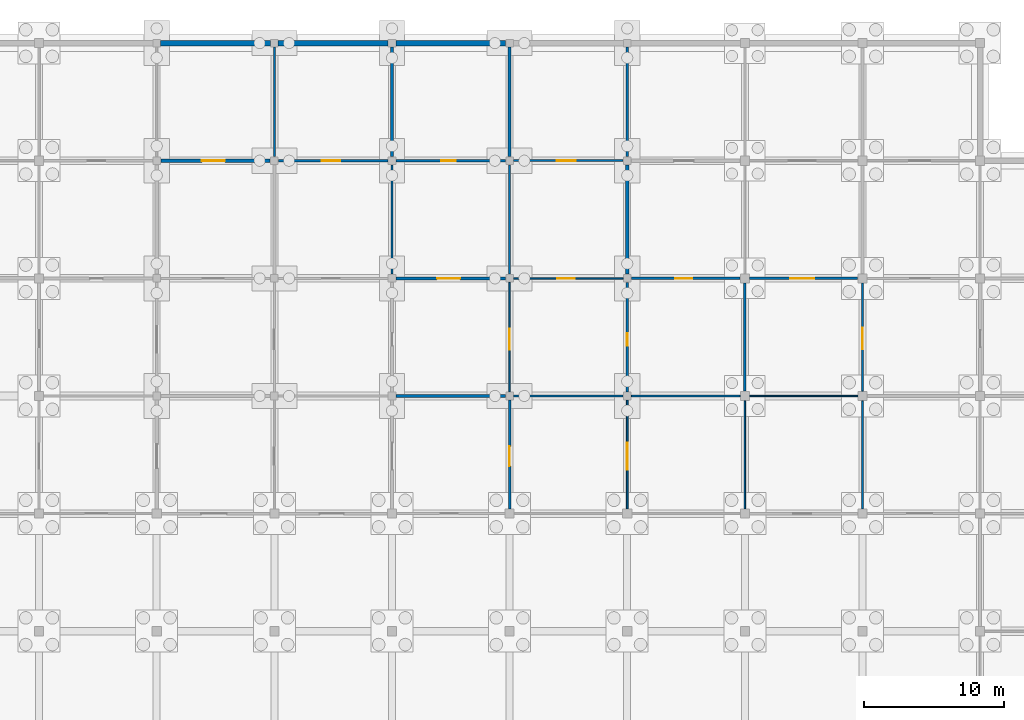
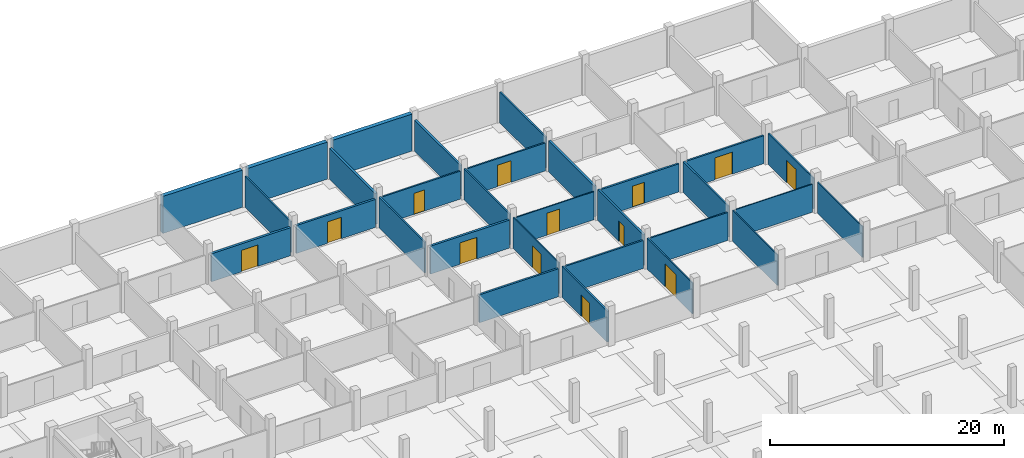
# One storey, part 30 of 43: 30 walls, 13 doors, 13 openings.
"""IFC4 building model written with IfcOpenShell, lengths in metres."""

import ifcopenshell
import ifcopenshell.guid

model = None  # the IFC model being written
_history = None  # IfcOwnerHistory: only IFC2X3 demands one
_inside = {}  # id of a spatial element -> (the spatial element, [elements in it])
_under = {}  # id of a project, library or spatial element -> (it, [spatial elements below it])
_declared = {}  # id of a project -> (the project, [libraries it declares])
_typed = {}  # id of a type object -> (the type object, [elements of that type])
_made_of = {}  # id of a material, layer set ... -> (it, [elements and type objects made of it])


def new_model(schema):
    """Start an empty IFC model of exactly this schema.

    Asked for "IFC4X3", IfcOpenShell would pick the latest addendum, in which some entities
    have other attributes; the version numbers below select the first issue.
    IFC2X3 requires an IfcOwnerHistory on every rooted entity: one is made here for all.
    """
    global model, _history
    if schema == "IFC4X3":
        model = ifcopenshell.file(schema_version=(4, 3, 0, 0))
    else:
        model = ifcopenshell.file(schema=schema)
    _inside.clear()
    _under.clear()
    _declared.clear()
    _typed.clear()
    _made_of.clear()
    _history = None
    if model.schema == "IFC2X3":
        org = make("IfcOrganization", Name="unknown")
        user = make(
            "IfcPersonAndOrganization",
            ThePerson=make("IfcPerson", FamilyName="unknown"),
            TheOrganization=org,
        )
        app = make(
            "IfcApplication",
            ApplicationDeveloper=org,
            Version="unknown",
            ApplicationFullName="unknown",
            ApplicationIdentifier="unknown",
        )
        _history = make(
            "IfcOwnerHistory",
            OwningUser=user,
            OwningApplication=app,
            ChangeAction="ADDED",
            CreationDate=0,
        )
    return model


def make(cls, **values):
    """One entity of the class cls with the attributes given. An attribute that is None is left unset."""
    return model.create_entity(
        cls, **{name: value for name, value in values.items() if value is not None}
    )


def rooted(cls, **values):
    """An entity with a GlobalId (a new one), such as an element, a storey or a relation."""
    return make(cls, GlobalId=ifcopenshell.guid.new(), OwnerHistory=_history, **values)


def si_unit(unit_type, name, prefix=None):
    """IfcSIUnit, for example si_unit("LENGTHUNIT", "METRE", prefix="MILLI")."""
    return make("IfcSIUnit", UnitType=unit_type, Prefix=prefix, Name=name)


def assignment(units):
    """IfcUnitAssignment: the units of a project."""
    return None if units is None else make("IfcUnitAssignment", Units=units)


def point(xyz):
    """IfcCartesianPoint."""
    return None if xyz is None else make("IfcCartesianPoint", Coordinates=xyz)


def direction(xyz):
    """IfcDirection."""
    return None if xyz is None else make("IfcDirection", DirectionRatios=xyz)


def frame(location, z_axis=None, x_axis=None):
    """IfcAxis2Placement3D, a coordinate frame: its origin and axes. An axis left out is left unset."""
    return make(
        "IfcAxis2Placement3D",
        Location=point(location),
        Axis=direction(z_axis),
        RefDirection=direction(x_axis),
    )


def frame_2d(location, x_axis=None):
    """IfcAxis2Placement2D, a coordinate frame in the plane: its origin and x axis."""
    return make(
        "IfcAxis2Placement2D", Location=point(location), RefDirection=direction(x_axis)
    )


def origin():
    """The frame at (0, 0, 0) with its axes left unset."""
    return frame((0.0, 0.0, 0.0))


def place(relative_to, where):
    """IfcLocalPlacement: puts the frame where relative to a parent placement (None: the world)."""
    return make(
        "IfcLocalPlacement", PlacementRelTo=relative_to, RelativePlacement=where
    )


def context(
    kind, dimensions, precision=None, world=None, true_north=None, identifier=None
):
    """IfcGeometricRepresentationContext, for example the 3D "Model" context."""
    return make(
        "IfcGeometricRepresentationContext",
        ContextIdentifier=identifier,
        ContextType=kind,
        CoordinateSpaceDimension=dimensions,
        Precision=precision,
        WorldCoordinateSystem=world,
        TrueNorth=true_north,
    )


def subcontext(parent, identifier, kind, view, scale=None):
    """IfcGeometricRepresentationSubContext, for example "Body" below "Model"."""
    return make(
        "IfcGeometricRepresentationSubContext",
        ContextIdentifier=identifier,
        ContextType=kind,
        ParentContext=parent,
        TargetScale=scale,
        TargetView=view,
    )


def project(units=None, contexts=None):
    """IfcProject with its units and contexts."""
    return rooted(
        "IfcProject",
        Name="project",
        RepresentationContexts=contexts,
        UnitsInContext=assignment(units),
    )


def spatial(cls, under=None, at=None, **own):
    """A site, building, storey or space (cls), placed at a placement, below another one or the project."""
    s = rooted(cls, ObjectPlacement=at, **own)
    if under is not None:
        _under.setdefault(under.id(), (under, []))[1].append(s)
    return s


def profile(cls, at=None, kind="AREA", **sizes):
    """A parametric profile (cls). Its sizes go by their IFC names, for example OverallWidth=200.0."""
    return make(cls, ProfileType=kind, Position=at, **sizes)


def rectangle(**sizes):
    """IfcRectangleProfileDef."""
    return profile("IfcRectangleProfileDef", **sizes)


def extrude(swept, where, along, depth):
    """IfcExtrudedAreaSolid: the profile swept, set in the frame where, extruded along a direction by depth."""
    return make(
        "IfcExtrudedAreaSolid",
        SweptArea=swept,
        Position=where,
        ExtrudedDirection=direction(along),
        Depth=depth,
    )


def shape(context_of_items, identifier, shape_type, items):
    """IfcShapeRepresentation: the items that make up one representation, for example the "Body"."""
    return make(
        "IfcShapeRepresentation",
        ContextOfItems=context_of_items,
        RepresentationIdentifier=identifier,
        RepresentationType=shape_type,
        Items=items,
    )


def material(Name=None, Category=None):
    """IfcMaterial."""
    return make("IfcMaterial", Name=Name, Category=Category)


def layer(
    of_material, thickness, ventilated=None, Name=None, Category=None, Priority=None
):
    """IfcMaterialLayer: one layer of a wall or slab, of a material (None: an air gap)."""
    return make(
        "IfcMaterialLayer",
        Material=of_material,
        LayerThickness=thickness,
        IsVentilated=ventilated,
        Name=Name,
        Category=Category,
        Priority=Priority,
    )


def layer_set(layers, Name=None):
    """IfcMaterialLayerSet."""
    return make("IfcMaterialLayerSet", MaterialLayers=layers, LayerSetName=Name)


def made_of(thing, what):
    """Note that an element or type object is made of a material, layer set ...; save() writes the relation."""
    if what is not None:
        _made_of.setdefault(what.id(), (what, []))[1].append(thing)
    return thing


def type_object(cls, material=None, **own):
    """A type object (cls), such as IfcWallType, which elements share."""
    return made_of(rooted(cls, **own), material)


def element(
    cls,
    number,
    at=None,
    inside=None,
    cuts=None,
    type_object=None,
    material=None,
    context=None,
    identifier="Body",
    shape_type=None,
    held_by="IfcProductDefinitionShape",
    body=None,
    shapes=None,
    **own,
):
    """One element of the class cls, such as IfcWall. Its Tag is "e" and its number.

    at: its placement. inside: the storey or other place that contains it. cuts: it is an
    opening in that element (IfcRelVoidsElement). A single representation is given by context,
    identifier, shape_type and body (its items); several are given by shapes. held_by: the class
    of the entity that holds the representations. save() writes the other relations.
    """
    e = rooted(cls, Tag="e%d" % number, ObjectPlacement=at, **own)
    if body is not None:
        shapes = [shape(context, identifier, shape_type, body)]
    if shapes is not None:
        e.Representation = make(held_by, Representations=shapes)
    if inside is not None:
        _inside.setdefault(inside.id(), (inside, []))[1].append(e)
    if cuts is not None:
        rooted(
            "IfcRelVoidsElement", RelatingBuildingElement=cuts, RelatedOpeningElement=e
        )
    if type_object is not None:
        _typed.setdefault(type_object.id(), (type_object, []))[1].append(e)
    return made_of(e, material)


def fill(opening, filler):
    """IfcRelFillsElement: the door or window that sits in an opening."""
    return rooted(
        "IfcRelFillsElement",
        RelatingOpeningElement=opening,
        RelatedBuildingElement=filler,
    )


def aggregate(whole, parts):
    """IfcRelAggregates: a whole, such as a stair, and the parts it consists of."""
    return rooted("IfcRelAggregates", RelatingObject=whole, RelatedObjects=parts)


def save(model, path):
    """Write the relations noted so far, then the file.

    IfcRelAggregates (storeys below a building ...), IfcRelContainedInSpatialStructure (elements
    in a storey), IfcRelDefinesByType, IfcRelAssociatesMaterial and IfcRelDeclares: one each for
    every whole, place, type object, material and project.
    """
    for whole, parts in _under.values():
        aggregate(whole, parts)
    for where, things in _inside.values():
        rooted(
            "IfcRelContainedInSpatialStructure",
            RelatedElements=things,
            RelatingStructure=where,
        )
    for kind, things in _typed.values():
        rooted("IfcRelDefinesByType", RelatedObjects=things, RelatingType=kind)
    for what, things in _made_of.values():
        rooted("IfcRelAssociatesMaterial", RelatedObjects=things, RelatingMaterial=what)
    for by, libraries in _declared.values():
        rooted("IfcRelDeclares", RelatingContext=by, RelatedDefinitions=libraries)
    model.write(path)


model = new_model("IFC4")

# Units and contexts
model_context = context("Model", 3, precision=1e-05, world=origin(), true_north=direction((0.0, 1.0)))
body_context = subcontext(model_context, "Body", "Model", "MODEL_VIEW")
ifc_project = project(units=[si_unit("LENGTHUNIT", "METRE"), si_unit("AREAUNIT", "SQUARE_METRE"), si_unit("VOLUMEUNIT", "CUBIC_METRE"), si_unit("PLANEANGLEUNIT", "RADIAN"), si_unit("MASSUNIT", "GRAM", prefix="KILO")], contexts=[model_context])

# Site, building, storey
site_placement = place(None, origin())
site = spatial("IfcSite", under=ifc_project, at=site_placement, CompositionType="ELEMENT")
building_placement = place(site_placement, origin())
building = spatial("IfcBuilding", under=site, at=building_placement, Name="Varnapada Polytechnic", CompositionType="ELEMENT")
storey_placement = place(building_placement, frame((0.0, 0.0, -4.199951171875)))
storey = spatial("IfcBuildingStorey", under=building, at=storey_placement, Name="B1", CompositionType="ELEMENT", Elevation=-4.199951171875)

# Walls
ifc_material_1 = material(Name="Autoclaved Aerated Concrete Block AAC-600", Category="concrete")
ifc_layer_1 = layer(ifc_material_1, 0.14990234375)
ifc_layer_set_1 = layer_set([ifc_layer_1], Name="Autoclaved Aerated Concrete Block AAC-600")
wall_type_1 = type_object("IfcWallType", Name="Interior Wall IW-02", PredefinedType="PARTITIONING", material=ifc_layer_set_1)
wall_1_placement = place(storey_placement, frame((84.0, 117.89501953125, 0.0), z_axis=(0.0, 0.0, 1.0), x_axis=(0.0, 1.0, 0.0)))
element("IfcWall", 1, at=wall_1_placement, inside=storey, type_object=wall_type_1, Name="B1 interior partition IW-B1-09-14-V", PredefinedType="PARTITIONING", context=body_context, shape_type="SweptSolid", body=[
    extrude(rectangle(XDim=7.81005859375, YDim=0.14990234375, at=frame_2d((3.905029296875, 0.0))), origin(), (0.0, 0.0, 1.0), 3.22998046875),
])
ifc_material_2 = material(Name="Glazed Timber-Framed Studio Screen", Category="wood")
ifc_layer_2 = layer(ifc_material_2, 0.110107421875)
ifc_layer_set_2 = layer_set([ifc_layer_2], Name="Glazed Timber-Framed Studio Screen")
wall_type_2 = type_object("IfcWallType", Name="Interior Wall IW-07", PredefinedType="PARTITIONING", material=ifc_layer_set_2)
wall_2_placement = place(storey_placement, frame((126.0, 92.7451171875, 0.0), z_axis=(0.0, 0.0, 1.0), x_axis=(0.0, 1.0, 0.0)))
element("IfcWall", 2, at=wall_2_placement, inside=storey, type_object=wall_type_2, Name="B1 interior partition IW-B1-14-11-V", PredefinedType="PARTITIONING", context=body_context, shape_type="SweptSolid", body=[
    extrude(rectangle(XDim=7.7099609375, YDim=0.110107421875, at=frame_2d((3.85498046875, 0.0))), origin(), (0.0, 0.0, 1.0), 3.22998046875),
])
ifc_material_3 = material(Name="Operable Acoustic Seminar Partition")
ifc_layer_3 = layer(ifc_material_3, 0.10009765625)
ifc_layer_set_3 = layer_set([ifc_layer_3], Name="Operable Acoustic Seminar Partition")
wall_type_3 = type_object("IfcWallType", Name="Interior Wall IW-08", PredefinedType="MOVABLE", material=ifc_layer_set_3)
wall_3_placement = place(storey_placement, frame((117.60009765625, 92.7451171875, 0.0), z_axis=(0.0, 0.0, 1.0), x_axis=(0.0, 1.0, 0.0)))
element("IfcWall", 3, at=wall_3_placement, inside=storey, type_object=wall_type_3, Name="B1 interior partition IW-B1-13-11-V", PredefinedType="MOVABLE", context=body_context, shape_type="SweptSolid", body=[
    extrude(rectangle(XDim=7.7099609375, YDim=0.10009765625, at=frame_2d((3.85498046875, 0.0))), origin(), (0.0, 0.0, 1.0), 3.22998046875),
])
wall_4_placement = place(storey_placement, frame((117.945068359375, 100.800048828125, 0.0), z_axis=(0.0, 0.0, 1.0), x_axis=(1.0, 0.0, 0.0)))
element("IfcWall", 4, at=wall_4_placement, inside=storey, type_object=wall_type_3, Name="B1 interior partition IW-B1-14-11-H", PredefinedType="MOVABLE", context=body_context, shape_type="SweptSolid", body=[
    extrude(rectangle(XDim=7.7099609375, YDim=0.10009765625, at=frame_2d((3.85498046875, 0.0))), origin(), (0.0, 0.0, 1.0), 2.929931640625),
])

# Wall, opening, door
ifc_material_4 = material(Name="Calcium Silicate Acoustic Lab Partition")
ifc_layer_4 = layer(ifc_material_4, 0.135009765625)
ifc_layer_set_4 = layer_set([ifc_layer_4], Name="Calcium Silicate Acoustic Lab Partition")
wall_type_4 = type_object("IfcWallType", Name="Interior Wall IW-09", PredefinedType="PARTITIONING", material=ifc_layer_set_4)
wall_5_placement = place(storey_placement, frame((109.199951171875, 92.7451171875, 0.0), z_axis=(0.0, 0.0, 1.0), x_axis=(0.0, 1.0, 0.0)))
wall_5 = element("IfcWall", 5, at=wall_5_placement, inside=storey, type_object=wall_type_4, Name="B1 interior partition IW-B1-12-11-V", PredefinedType="PARTITIONING", context=body_context, shape_type="SweptSolid", body=[
    extrude(rectangle(XDim=7.759765625, YDim=0.135009765625, at=frame_2d((3.8798828125, 0.0))), origin(), (0.0, 0.0, 1.0), 3.22998046875),
])
opening_1_placement = place(wall_5_placement, frame((2.800048828125, 0.0, 0.0)))
opening_1 = element("IfcOpeningElement", 6, at=opening_1_placement, cuts=wall_5, Name="Opening D-726", PredefinedType="OPENING", context=body_context, shape_type="SweptSolid", body=[
    extrude(rectangle(XDim=1.89990234375, YDim=2.39990234375, at=frame_2d((0.949951171875, 1.199951171875))), frame((0.0, 0.077392578125, 0.0), z_axis=(0.0, -1.0, 0.0), x_axis=(1.0, 0.0, 0.0)), (0.0, 0.0, 1.0), 0.155029296875),
])
ifc_material_5 = material(Name="Heavy Workshop Double Steel Door", Category="steel")
door_type_1 = type_object("IfcDoorType", Name="Interior Door ID-14", OperationType="NOTDEFINED", PredefinedType="DOOR", material=ifc_material_5)
door_1_placement = place(opening_1_placement, origin())
door_1 = element("IfcDoor", 7, at=door_1_placement, inside=storey, type_object=door_type_1, Name="B1 interior room door D-726", OperationType="SINGLE_SWING_LEFT", OverallHeight=2.39990234375, OverallWidth=1.89990234375, PredefinedType="DOOR", context=body_context, shape_type="SweptSolid", body=[
    extrude(rectangle(XDim=1.89990234375, YDim=2.39990234375, at=frame_2d((0.949951171875, 1.199951171875))), frame((0.0, 0.02490234375, 0.0), z_axis=(0.0, -1.0, 0.0), x_axis=(1.0, 0.0, 0.0)), (0.0, 0.0, 1.0), 0.050048828125),
])
fill(opening_1, door_1)

# Wall
wall_6_placement = place(storey_placement, frame((109.4951171875, 100.800048828125, 0.0), z_axis=(0.0, 0.0, 1.0), x_axis=(1.0, 0.0, 0.0)))
element("IfcWall", 8, at=wall_6_placement, inside=storey, type_object=wall_type_4, Name="B1 interior partition IW-B1-13-11-H", PredefinedType="PARTITIONING", context=body_context, shape_type="SweptSolid", body=[
    extrude(rectangle(XDim=7.759765625, YDim=0.135009765625, at=frame_2d((3.8798828125, 0.0))), origin(), (0.0, 0.0, 1.0), 2.929931640625),
])

# Wall, opening, door
wall_7_placement = place(storey_placement, frame((126.0, 101.14501953125, 0.0), z_axis=(0.0, 0.0, 1.0), x_axis=(0.0, 1.0, 0.0)))
wall_7 = element("IfcWall", 9, at=wall_7_placement, inside=storey, type_object=wall_type_4, Name="B1 interior partition IW-B1-14-12-V", PredefinedType="PARTITIONING", context=body_context, shape_type="SweptSolid", body=[
    extrude(rectangle(XDim=7.7099609375, YDim=0.135009765625, at=frame_2d((3.85498046875, 0.0))), origin(), (0.0, 0.0, 1.0), 3.22998046875),
])
opening_2_placement = place(wall_7_placement, frame((2.97509765625, 0.0, 0.0)))
opening_2 = element("IfcOpeningElement", 10, at=opening_2_placement, cuts=wall_7, Name="Opening D-741", PredefinedType="OPENING", context=body_context, shape_type="SweptSolid", body=[
    extrude(rectangle(XDim=1.550048828125, YDim=2.35009765625, at=frame_2d((0.77490234375, 1.175048828125))), frame((0.0, 0.077392578125, 0.0), z_axis=(0.0, -1.0, 0.0), x_axis=(1.0, 0.0, 0.0)), (0.0, 0.0, 1.0), 0.155029296875),
])
ifc_material_6 = material(Name="Galvanized Steel Z275", Category="steel")
door_type_2 = type_object("IfcDoorType", Name="Interior Door ID-12", OperationType="NOTDEFINED", PredefinedType="DOOR", material=ifc_material_6)
door_2_placement = place(opening_2_placement, origin())
door_2 = element("IfcDoor", 11, at=door_2_placement, inside=storey, type_object=door_type_2, Name="B1 interior room door D-741", OperationType="SINGLE_SWING_RIGHT", OverallHeight=2.35009765625, OverallWidth=1.550048828125, PredefinedType="DOOR", context=body_context, shape_type="SweptSolid", body=[
    extrude(rectangle(XDim=1.550048828125, YDim=2.35009765625, at=frame_2d((0.77490234375, 1.175048828125))), frame((0.0, 0.02490234375, 0.0), z_axis=(0.0, -1.0, 0.0), x_axis=(1.0, 0.0, 0.0)), (0.0, 0.0, 1.0), 0.050048828125),
])
fill(opening_2, door_2)

ifc_material_7 = material(Name="Double-Layer Fireboard Workshop Wall")
ifc_layer_5 = layer(ifc_material_7, 0.169921875)
ifc_layer_set_5 = layer_set([ifc_layer_5], Name="Double-Layer Fireboard Workshop Wall")
wall_type_5 = type_object("IfcWallType", Name="Interior Wall IW-10", PredefinedType="PARTITIONING", material=ifc_layer_set_5)
wall_8_placement = place(storey_placement, frame((100.800048828125, 92.7451171875, 0.0), z_axis=(0.0, 0.0, 1.0), x_axis=(0.0, 1.0, 0.0)))
wall_8 = element("IfcWall", 12, at=wall_8_placement, inside=storey, type_object=wall_type_5, Name="B1 interior partition IW-B1-11-11-V", PredefinedType="PARTITIONING", context=body_context, shape_type="SweptSolid", body=[
    extrude(rectangle(XDim=7.759765625, YDim=0.169921875, at=frame_2d((3.8798828125, 0.0))), origin(), (0.0, 0.0, 1.0), 3.22998046875),
])
opening_3_placement = place(wall_8_placement, frame((3.050048828125, 0.0, 0.0)))
opening_3 = element("IfcOpeningElement", 13, at=opening_3_placement, cuts=wall_8, Name="Opening D-718", PredefinedType="OPENING", context=body_context, shape_type="SweptSolid", body=[
    extrude(rectangle(XDim=1.39990234375, YDim=2.25, at=frame_2d((0.699951171875, 1.125))), frame((0.0, 0.094970703125, 0.0), z_axis=(0.0, -1.0, 0.0), x_axis=(1.0, 0.0, 0.0)), (0.0, 0.0, 1.0), 0.18994140625),
])
ifc_material_8 = material(Name="Powder-Coated Aluminium 6063-T6", Category="aluminium")
door_type_3 = type_object("IfcDoorType", Name="Interior Door ID-06", OperationType="NOTDEFINED", PredefinedType="DOOR", material=ifc_material_8)
door_3_placement = place(opening_3_placement, origin())
door_3 = element("IfcDoor", 14, at=door_3_placement, inside=storey, type_object=door_type_3, Name="B1 interior room door D-718", OperationType="SINGLE_SWING_LEFT", OverallHeight=2.25, OverallWidth=1.39990234375, PredefinedType="DOOR", context=body_context, shape_type="SweptSolid", body=[
    extrude(rectangle(XDim=1.39990234375, YDim=2.25, at=frame_2d((0.699951171875, 1.125))), frame((0.0, 0.02490234375, 0.0), z_axis=(0.0, -1.0, 0.0), x_axis=(1.0, 0.0, 0.0)), (0.0, 0.0, 1.0), 0.050048828125),
])
fill(opening_3, door_3)

# Walls
wall_9_placement = place(storey_placement, frame((101.094970703125, 100.800048828125, 0.0), z_axis=(0.0, 0.0, 1.0), x_axis=(1.0, 0.0, 0.0)))
element("IfcWall", 15, at=wall_9_placement, inside=storey, type_object=wall_type_5, Name="B1 interior partition IW-B1-12-11-H", PredefinedType="PARTITIONING", context=body_context, shape_type="SweptSolid", body=[
    extrude(rectangle(XDim=7.81005859375, YDim=0.169921875, at=frame_2d((3.905029296875, 0.0))), origin(), (0.0, 0.0, 1.0), 2.929931640625),
])
wall_10_placement = place(storey_placement, frame((117.60009765625, 101.14501953125, 0.0), z_axis=(0.0, 0.0, 1.0), x_axis=(0.0, 1.0, 0.0)))
element("IfcWall", 16, at=wall_10_placement, inside=storey, type_object=wall_type_5, Name="B1 interior partition IW-B1-13-12-V", PredefinedType="PARTITIONING", context=body_context, shape_type="SweptSolid", body=[
    extrude(rectangle(XDim=7.7099609375, YDim=0.169921875, at=frame_2d((3.85498046875, 0.0))), origin(), (0.0, 0.0, 1.0), 3.22998046875),
])

# Wall, opening, door
wall_11_placement = place(storey_placement, frame((117.945068359375, 109.199951171875, 0.0), z_axis=(0.0, 0.0, 1.0), x_axis=(1.0, 0.0, 0.0)))
wall_11 = element("IfcWall", 17, at=wall_11_placement, inside=storey, type_object=wall_type_5, Name="B1 interior partition IW-B1-14-12-H", PredefinedType="PARTITIONING", context=body_context, shape_type="SweptSolid", body=[
    extrude(rectangle(XDim=7.7099609375, YDim=0.169921875, at=frame_2d((3.85498046875, 0.0))), origin(), (0.0, 0.0, 1.0), 2.929931640625),
])
opening_4_placement = place(wall_11_placement, frame((2.89990234375, 0.0, 0.0)))
opening_4 = element("IfcOpeningElement", 18, at=opening_4_placement, cuts=wall_11, Name="Opening D-742", PredefinedType="OPENING", context=body_context, shape_type="SweptSolid", body=[
    extrude(rectangle(XDim=1.699951171875, YDim=2.300048828125, at=frame_2d((0.85009765625, 1.14990234375))), frame((0.0, 0.094970703125, 0.0), z_axis=(0.0, -1.0, 0.0), x_axis=(1.0, 0.0, 0.0)), (0.0, 0.0, 1.0), 0.18994140625),
])
ifc_material_9 = material(Name="Acoustic Double Timber Leaf", Category="wood")
door_type_4 = type_object("IfcDoorType", Name="Interior Door ID-13", OperationType="NOTDEFINED", PredefinedType="DOOR", material=ifc_material_9)
door_4_placement = place(opening_4_placement, origin())
door_4 = element("IfcDoor", 19, at=door_4_placement, inside=storey, type_object=door_type_4, Name="B1 interior room door D-742", OperationType="SINGLE_SWING_LEFT", OverallHeight=2.300048828125, OverallWidth=1.699951171875, PredefinedType="DOOR", context=body_context, shape_type="SweptSolid", body=[
    extrude(rectangle(XDim=1.699951171875, YDim=2.300048828125, at=frame_2d((0.85009765625, 1.14990234375))), frame((0.0, 0.02490234375, 0.0), z_axis=(0.0, -1.0, 0.0), x_axis=(1.0, 0.0, 0.0)), (0.0, 0.0, 1.0), 0.050048828125),
])
fill(opening_4, door_4)

# Wall
ifc_material_10 = material(Name="Insulated Masonry Plant Room Wall", Category="masonry")
ifc_layer_6 = layer(ifc_material_10, 0.18994140625)
ifc_layer_set_6 = layer_set([ifc_layer_6], Name="Insulated Masonry Plant Room Wall")
wall_type_6 = type_object("IfcWallType", Name="Interior Wall IW-11", PredefinedType="PARTITIONING", material=ifc_layer_set_6)
wall_12_placement = place(storey_placement, frame((92.695068359375, 100.800048828125, 0.0), z_axis=(0.0, 0.0, 1.0), x_axis=(1.0, 0.0, 0.0)))
element("IfcWall", 20, at=wall_12_placement, inside=storey, type_object=wall_type_6, Name="B1 interior partition IW-B1-11-11-H", PredefinedType="PARTITIONING", context=body_context, shape_type="SweptSolid", body=[
    extrude(rectangle(XDim=7.809814453125, YDim=0.18994140625, at=frame_2d((3.90478515625, 0.0))), origin(), (0.0, 0.0, 1.0), 2.929931640625),
])

# Wall, opening, door
wall_13_placement = place(storey_placement, frame((109.199951171875, 101.094970703125, 0.0), z_axis=(0.0, 0.0, 1.0), x_axis=(0.0, 1.0, 0.0)))
wall_13 = element("IfcWall", 21, at=wall_13_placement, inside=storey, type_object=wall_type_6, Name="B1 interior partition IW-B1-12-12-V", PredefinedType="PARTITIONING", context=body_context, shape_type="SweptSolid", body=[
    extrude(rectangle(XDim=7.81005859375, YDim=0.18994140625, at=frame_2d((3.905029296875, 0.0))), origin(), (0.0, 0.0, 1.0), 3.22998046875),
])
opening_5_placement = place(wall_13_placement, frame((3.300048828125, 0.0, 0.0)))
opening_5 = element("IfcOpeningElement", 22, at=opening_5_placement, cuts=wall_13, Name="Opening D-727", PredefinedType="OPENING", context=body_context, shape_type="SweptSolid", body=[
    extrude(rectangle(XDim=0.89990234375, YDim=2.10009765625, at=frame_2d((0.449951171875, 1.050048828125))), frame((0.0, 0.10498046875, 0.0), z_axis=(0.0, -1.0, 0.0), x_axis=(1.0, 0.0, 0.0)), (0.0, 0.0, 1.0), 0.2099609375),
])
ifc_material_11 = material(Name="Moisture-Resistant HPL Timber", Category="wood")
door_type_5 = type_object("IfcDoorType", Name="Interior Door ID-15", OperationType="NOTDEFINED", PredefinedType="DOOR", material=ifc_material_11)
door_5_placement = place(opening_5_placement, origin())
door_5 = element("IfcDoor", 23, at=door_5_placement, inside=storey, type_object=door_type_5, Name="B1 interior room door D-727", OperationType="SINGLE_SWING_RIGHT", OverallHeight=2.10009765625, OverallWidth=0.89990234375, PredefinedType="DOOR", context=body_context, shape_type="SweptSolid", body=[
    extrude(rectangle(XDim=0.89990234375, YDim=2.10009765625, at=frame_2d((0.449951171875, 1.050048828125))), frame((0.0, 0.02490234375, 0.0), z_axis=(0.0, -1.0, 0.0), x_axis=(1.0, 0.0, 0.0)), (0.0, 0.0, 1.0), 0.050048828125),
])
fill(opening_5, door_5)

wall_14_placement = place(storey_placement, frame((109.4951171875, 109.199951171875, 0.0), z_axis=(0.0, 0.0, 1.0), x_axis=(1.0, 0.0, 0.0)))
wall_14 = element("IfcWall", 24, at=wall_14_placement, inside=storey, type_object=wall_type_6, Name="B1 interior partition IW-B1-13-12-H", PredefinedType="PARTITIONING", context=body_context, shape_type="SweptSolid", body=[
    extrude(rectangle(XDim=7.759765625, YDim=0.18994140625, at=frame_2d((3.8798828125, 0.0))), origin(), (0.0, 0.0, 1.0), 2.929931640625),
])
opening_6_placement = place(wall_14_placement, frame((3.14990234375, 0.0, 0.0)))
opening_6 = element("IfcOpeningElement", 25, at=opening_6_placement, cuts=wall_14, Name="Opening D-734", PredefinedType="OPENING", context=body_context, shape_type="SweptSolid", body=[
    extrude(rectangle(XDim=1.199951171875, YDim=2.199951171875, at=frame_2d((0.60009765625, 1.10009765625))), frame((0.0, 0.10498046875, 0.0), z_axis=(0.0, -1.0, 0.0), x_axis=(1.0, 0.0, 0.0)), (0.0, 0.0, 1.0), 0.2099609375),
])
ifc_material_12 = material(Name="Solid Teak Hardwood Timber", Category="wood")
door_type_6 = type_object("IfcDoorType", Name="Interior Door ID-05", OperationType="NOTDEFINED", PredefinedType="DOOR", material=ifc_material_12)
door_6_placement = place(opening_6_placement, frame((1.199951171875, 0.0, 0.0), z_axis=(0.0, 0.0, 1.0), x_axis=(-1.0, 0.0, 0.0)))
door_6 = element("IfcDoor", 26, at=door_6_placement, inside=storey, type_object=door_type_6, Name="B1 interior room door D-734", OperationType="SINGLE_SWING_LEFT", OverallHeight=2.199951171875, OverallWidth=1.199951171875, PredefinedType="DOOR", context=body_context, shape_type="SweptSolid", body=[
    extrude(rectangle(XDim=1.199951171875, YDim=2.199951171875, at=frame_2d((0.60009765625, 1.10009765625))), frame((0.0, 0.02490234375, 0.0), z_axis=(0.0, -1.0, 0.0), x_axis=(1.0, 0.0, 0.0)), (0.0, 0.0, 1.0), 0.050048828125),
])
fill(opening_6, door_6)

ifc_material_13 = material(Name="Timber-Stud Studio Critique Partition", Category="wood")
ifc_layer_7 = layer(ifc_material_13, 0.114990234375)
ifc_layer_set_7 = layer_set([ifc_layer_7], Name="Timber-Stud Studio Critique Partition")
wall_type_7 = type_object("IfcWallType", Name="Interior Wall IW-12", PredefinedType="PARTITIONING", material=ifc_layer_set_7)
wall_15_placement = place(storey_placement, frame((100.800048828125, 101.094970703125, 0.0), z_axis=(0.0, 0.0, 1.0), x_axis=(0.0, 1.0, 0.0)))
wall_15 = element("IfcWall", 27, at=wall_15_placement, inside=storey, type_object=wall_type_7, Name="B1 interior partition IW-B1-11-12-V", PredefinedType="PARTITIONING", context=body_context, shape_type="SweptSolid", body=[
    extrude(rectangle(XDim=7.81005859375, YDim=0.114990234375, at=frame_2d((3.905029296875, 0.0))), origin(), (0.0, 0.0, 1.0), 3.22998046875),
])
opening_7_placement = place(wall_15_placement, frame((3.0, 0.0, 0.0)))
opening_7 = element("IfcOpeningElement", 28, at=opening_7_placement, cuts=wall_15, Name="Opening D-719", PredefinedType="OPENING", context=body_context, shape_type="SweptSolid", body=[
    extrude(rectangle(XDim=1.5, YDim=2.300048828125, at=frame_2d((0.75, 1.14990234375))), frame((0.0, 0.0673828125, 0.0), z_axis=(0.0, -1.0, 0.0), x_axis=(1.0, 0.0, 0.0)), (0.0, 0.0, 1.0), 0.135009765625),
])
door_type_7 = type_object("IfcDoorType", Name="Interior Door ID-07", OperationType="NOTDEFINED", PredefinedType="DOOR", material=ifc_material_6)
door_7_placement = place(opening_7_placement, frame((1.5, 0.0, 0.0), z_axis=(0.0, 0.0, 1.0), x_axis=(-1.0, 0.0, 0.0)))
door_7 = element("IfcDoor", 29, at=door_7_placement, inside=storey, type_object=door_type_7, Name="B1 interior room door D-719", OperationType="SINGLE_SWING_RIGHT", OverallHeight=2.300048828125, OverallWidth=1.5, PredefinedType="DOOR", context=body_context, shape_type="SweptSolid", body=[
    extrude(rectangle(XDim=1.5, YDim=2.300048828125, at=frame_2d((0.75, 1.14990234375))), frame((0.0, 0.02490234375, 0.0), z_axis=(0.0, -1.0, 0.0), x_axis=(1.0, 0.0, 0.0)), (0.0, 0.0, 1.0), 0.050048828125),
])
fill(opening_7, door_7)

wall_16_placement = place(storey_placement, frame((101.094970703125, 109.199951171875, 0.0), z_axis=(0.0, 0.0, 1.0), x_axis=(1.0, 0.0, 0.0)))
wall_16 = element("IfcWall", 30, at=wall_16_placement, inside=storey, type_object=wall_type_7, Name="B1 interior partition IW-B1-12-12-H", PredefinedType="PARTITIONING", context=body_context, shape_type="SweptSolid", body=[
    extrude(rectangle(XDim=7.81005859375, YDim=0.114990234375, at=frame_2d((3.905029296875, 0.0))), origin(), (0.0, 0.0, 1.0), 2.929931640625),
])
opening_8_placement = place(wall_16_placement, frame((3.125, 0.0, 0.0)))
opening_8 = element("IfcOpeningElement", 31, at=opening_8_placement, cuts=wall_16, Name="Opening D-728", PredefinedType="OPENING", context=body_context, shape_type="SweptSolid", body=[
    extrude(rectangle(XDim=1.25, YDim=2.300048828125, at=frame_2d((0.625, 1.14990234375))), frame((0.0, 0.0673828125, 0.0), z_axis=(0.0, -1.0, 0.0), x_axis=(1.0, 0.0, 0.0)), (0.0, 0.0, 1.0), 0.135009765625),
])
door_type_8 = type_object("IfcDoorType", Name="Interior Door ID-16", OperationType="NOTDEFINED", PredefinedType="DOOR", material=ifc_material_12)
door_8_placement = place(opening_8_placement, frame((1.25, 0.0, 0.0), z_axis=(0.0, 0.0, 1.0), x_axis=(-1.0, 0.0, 0.0)))
door_8 = element("IfcDoor", 32, at=door_8_placement, inside=storey, type_object=door_type_8, Name="B1 interior room door D-728", OperationType="SINGLE_SWING_LEFT", OverallHeight=2.300048828125, OverallWidth=1.25, PredefinedType="DOOR", context=body_context, shape_type="SweptSolid", body=[
    extrude(rectangle(XDim=1.25, YDim=2.300048828125, at=frame_2d((0.625, 1.14990234375))), frame((0.0, 0.02490234375, 0.0), z_axis=(0.0, -1.0, 0.0), x_axis=(1.0, 0.0, 0.0)), (0.0, 0.0, 1.0), 0.050048828125),
])
fill(opening_8, door_8)

ifc_material_14 = material(Name="Heavy Acoustic Auditorium Baffle Wall")
ifc_layer_8 = layer(ifc_material_14, 0.219970703125)
ifc_layer_set_8 = layer_set([ifc_layer_8], Name="Heavy Acoustic Auditorium Baffle Wall")
wall_type_8 = type_object("IfcWallType", Name="Interior Wall IW-13", PredefinedType="PARTITIONING", material=ifc_layer_set_8)
wall_17_placement = place(storey_placement, frame((92.695068359375, 109.199951171875, 0.0), z_axis=(0.0, 0.0, 1.0), x_axis=(1.0, 0.0, 0.0)))
wall_17 = element("IfcWall", 33, at=wall_17_placement, inside=storey, type_object=wall_type_8, Name="B1 interior partition IW-B1-11-12-H", PredefinedType="PARTITIONING", context=body_context, shape_type="SweptSolid", body=[
    extrude(rectangle(XDim=7.809814453125, YDim=0.219970703125, at=frame_2d((3.90478515625, 0.0))), origin(), (0.0, 0.0, 1.0), 2.929931640625),
])
opening_9_placement = place(wall_17_placement, frame((2.925048828125, 0.0, 0.0)))
opening_9 = element("IfcOpeningElement", 34, at=opening_9_placement, cuts=wall_17, Name="Opening D-720", PredefinedType="OPENING", context=body_context, shape_type="SweptSolid", body=[
    extrude(rectangle(XDim=1.64990234375, YDim=2.25, at=frame_2d((0.824951171875, 1.125))), frame((0.0, 0.119873046875, 0.0), z_axis=(0.0, -1.0, 0.0), x_axis=(1.0, 0.0, 0.0)), (0.0, 0.0, 1.0), 0.239990234375),
])
door_type_9 = type_object("IfcDoorType", Name="Interior Door ID-08", OperationType="NOTDEFINED", PredefinedType="DOOR", material=ifc_material_12)
door_9_placement = place(opening_9_placement, origin())
door_9 = element("IfcDoor", 35, at=door_9_placement, inside=storey, type_object=door_type_9, Name="B1 interior room door D-720", OperationType="SINGLE_SWING_LEFT", OverallHeight=2.25, OverallWidth=1.64990234375, PredefinedType="DOOR", context=body_context, shape_type="SweptSolid", body=[
    extrude(rectangle(XDim=1.64990234375, YDim=2.25, at=frame_2d((0.824951171875, 1.125))), frame((0.0, 0.02490234375, 0.0), z_axis=(0.0, -1.0, 0.0), x_axis=(1.0, 0.0, 0.0)), (0.0, 0.0, 1.0), 0.050048828125),
])
fill(opening_9, door_9)

# Walls
wall_18_placement = place(storey_placement, frame((109.199951171875, 109.4951171875, 0.0), z_axis=(0.0, 0.0, 1.0), x_axis=(0.0, 1.0, 0.0)))
element("IfcWall", 36, at=wall_18_placement, inside=storey, type_object=wall_type_8, Name="B1 interior partition IW-B1-12-13-V", PredefinedType="PARTITIONING", context=body_context, shape_type="SweptSolid", body=[
    extrude(rectangle(XDim=7.809814453125, YDim=0.219970703125, at=frame_2d((3.90478515625, 0.0))), origin(), (0.0, 0.0, 1.0), 3.22998046875),
])
ifc_material_15 = material(Name="Ceramic-Tiled Wet Laboratory Wall")
ifc_layer_9 = layer(ifc_material_15, 0.14501953125)
ifc_layer_set_9 = layer_set([ifc_layer_9], Name="Ceramic-Tiled Wet Laboratory Wall")
wall_type_9 = type_object("IfcWallType", Name="Interior Wall IW-14", PredefinedType="PARTITIONING", material=ifc_layer_set_9)
wall_19_placement = place(storey_placement, frame((100.800048828125, 109.4951171875, 0.0), z_axis=(0.0, 0.0, 1.0), x_axis=(0.0, 1.0, 0.0)))
element("IfcWall", 37, at=wall_19_placement, inside=storey, type_object=wall_type_9, Name="B1 interior partition IW-B1-11-13-V", PredefinedType="PARTITIONING", context=body_context, shape_type="SweptSolid", body=[
    extrude(rectangle(XDim=7.809814453125, YDim=0.14501953125, at=frame_2d((3.90478515625, 0.0))), origin(), (0.0, 0.0, 1.0), 3.22998046875),
])

# Wall, opening, door
wall_20_placement = place(storey_placement, frame((101.094970703125, 117.60009765625, 0.0), z_axis=(0.0, 0.0, 1.0), x_axis=(1.0, 0.0, 0.0)))
wall_20 = element("IfcWall", 38, at=wall_20_placement, inside=storey, type_object=wall_type_9, Name="B1 interior partition IW-B1-12-13-H", PredefinedType="PARTITIONING", context=body_context, shape_type="SweptSolid", body=[
    extrude(rectangle(XDim=7.81005859375, YDim=0.14501953125, at=frame_2d((3.905029296875, 0.0))), origin(), (0.0, 0.0, 1.0), 2.929931640625),
])
opening_10_placement = place(wall_20_placement, frame((3.074951171875, 0.0, 0.0)))
opening_10 = element("IfcOpeningElement", 39, at=opening_10_placement, cuts=wall_20, Name="Opening D-729", PredefinedType="OPENING", context=body_context, shape_type="SweptSolid", body=[
    extrude(rectangle(XDim=1.35009765625, YDim=2.25, at=frame_2d((0.675048828125, 1.125))), frame((0.0, 0.08251953125, 0.0), z_axis=(0.0, -1.0, 0.0), x_axis=(1.0, 0.0, 0.0)), (0.0, 0.0, 1.0), 0.1650390625),
])
door_type_10 = type_object("IfcDoorType", Name="Interior Door ID-17", OperationType="NOTDEFINED", PredefinedType="DOOR", material=ifc_material_8)
door_10_placement = place(opening_10_placement, origin())
door_10 = element("IfcDoor", 40, at=door_10_placement, inside=storey, type_object=door_type_10, Name="B1 interior room door D-729", OperationType="SINGLE_SWING_RIGHT", OverallHeight=2.25, OverallWidth=1.35009765625, PredefinedType="DOOR", context=body_context, shape_type="SweptSolid", body=[
    extrude(rectangle(XDim=1.35009765625, YDim=2.25, at=frame_2d((0.675048828125, 1.125))), frame((0.0, 0.02490234375, 0.0), z_axis=(0.0, -1.0, 0.0), x_axis=(1.0, 0.0, 0.0)), (0.0, 0.0, 1.0), 0.050048828125),
])
fill(opening_10, door_10)

# Wall
ifc_material_16 = material(Name="Perforated Timber-Lined Seminar Wall", Category="wood")
ifc_layer_10 = layer(ifc_material_16, 0.155029296875)
ifc_layer_set_10 = layer_set([ifc_layer_10], Name="Perforated Timber-Lined Seminar Wall")
wall_type_10 = type_object("IfcWallType", Name="Interior Wall IW-15", PredefinedType="PARTITIONING", material=ifc_layer_set_10)
wall_21_placement = place(storey_placement, frame((92.39990234375, 109.4951171875, 0.0), z_axis=(0.0, 0.0, 1.0), x_axis=(0.0, 1.0, 0.0)))
element("IfcWall", 41, at=wall_21_placement, inside=storey, type_object=wall_type_10, Name="B1 interior partition IW-B1-10-13-V", PredefinedType="PARTITIONING", context=body_context, shape_type="SweptSolid", body=[
    extrude(rectangle(XDim=7.809814453125, YDim=0.155029296875, at=frame_2d((3.90478515625, 0.0))), origin(), (0.0, 0.0, 1.0), 3.22998046875),
])

# Wall, opening, door
wall_22_placement = place(storey_placement, frame((92.695068359375, 117.60009765625, 0.0), z_axis=(0.0, 0.0, 1.0), x_axis=(1.0, 0.0, 0.0)))
wall_22 = element("IfcWall", 42, at=wall_22_placement, inside=storey, type_object=wall_type_10, Name="B1 interior partition IW-B1-11-13-H", PredefinedType="PARTITIONING", context=body_context, shape_type="SweptSolid", body=[
    extrude(rectangle(XDim=7.809814453125, YDim=0.155029296875, at=frame_2d((3.90478515625, 0.0))), origin(), (0.0, 0.0, 1.0), 2.929931640625),
])
opening_11_placement = place(wall_22_placement, frame((3.22509765625, 0.0, 0.0)))
opening_11 = element("IfcOpeningElement", 43, at=opening_11_placement, cuts=wall_22, Name="Opening D-721", PredefinedType="OPENING", context=body_context, shape_type="SweptSolid", body=[
    extrude(rectangle(XDim=1.050048828125, YDim=2.199951171875, at=frame_2d((0.52490234375, 1.10009765625))), frame((0.0, 0.08740234375, 0.0), z_axis=(0.0, -1.0, 0.0), x_axis=(1.0, 0.0, 0.0)), (0.0, 0.0, 1.0), 0.175048828125),
])
door_type_11 = type_object("IfcDoorType", Name="Interior Door ID-09", OperationType="NOTDEFINED", PredefinedType="DOOR", material=ifc_material_12)
door_11_placement = place(opening_11_placement, origin())
door_11 = element("IfcDoor", 44, at=door_11_placement, inside=storey, type_object=door_type_11, Name="B1 interior room door D-721", OperationType="SINGLE_SWING_RIGHT", OverallHeight=2.199951171875, OverallWidth=1.050048828125, PredefinedType="DOOR", context=body_context, shape_type="SweptSolid", body=[
    extrude(rectangle(XDim=1.050048828125, YDim=2.199951171875, at=frame_2d((0.52490234375, 1.10009765625))), frame((0.0, 0.02490234375, 0.0), z_axis=(0.0, -1.0, 0.0), x_axis=(1.0, 0.0, 0.0)), (0.0, 0.0, 1.0), 0.050048828125),
])
fill(opening_11, door_11)

# Wall
wall_23_placement = place(storey_placement, frame((109.199951171875, 117.89501953125, 0.0), z_axis=(0.0, 0.0, 1.0), x_axis=(0.0, 1.0, 0.0)))
element("IfcWall", 45, at=wall_23_placement, inside=storey, type_object=wall_type_10, Name="B1 interior partition IW-B1-12-14-V", PredefinedType="PARTITIONING", context=body_context, shape_type="SweptSolid", body=[
    extrude(rectangle(XDim=7.81005859375, YDim=0.155029296875, at=frame_2d((3.905029296875, 0.0))), origin(), (0.0, 0.0, 1.0), 3.22998046875),
])

# Wall, opening, door
ifc_material_17 = material(Name="Heavy Masonry Workshop Partition", Category="masonry")
ifc_layer_11 = layer(ifc_material_17, 0.2099609375)
ifc_layer_set_11 = layer_set([ifc_layer_11], Name="Heavy Masonry Workshop Partition")
wall_type_11 = type_object("IfcWallType", Name="Interior Wall IW-16", PredefinedType="PARTITIONING", material=ifc_layer_set_11)
wall_24_placement = place(storey_placement, frame((84.294921875, 117.60009765625, 0.0), z_axis=(0.0, 0.0, 1.0), x_axis=(1.0, 0.0, 0.0)))
wall_24 = element("IfcWall", 46, at=wall_24_placement, inside=storey, type_object=wall_type_11, Name="B1 interior partition IW-B1-10-13-H", PredefinedType="PARTITIONING", context=body_context, shape_type="SweptSolid", body=[
    extrude(rectangle(XDim=7.81005859375, YDim=0.2099609375, at=frame_2d((3.905029296875, 0.0))), origin(), (0.0, 0.0, 1.0), 2.929931640625),
])
opening_12_placement = place(wall_24_placement, frame((3.074951171875, 0.0, 0.0)))
opening_12 = element("IfcOpeningElement", 47, at=opening_12_placement, cuts=wall_24, Name="Opening D-712", PredefinedType="OPENING", context=body_context, shape_type="SweptSolid", body=[
    extrude(rectangle(XDim=1.35009765625, YDim=2.25, at=frame_2d((0.675048828125, 1.125))), frame((0.0, 0.114990234375, 0.0), z_axis=(0.0, -1.0, 0.0), x_axis=(1.0, 0.0, 0.0)), (0.0, 0.0, 1.0), 0.22998046875),
])
door_12_placement = place(opening_12_placement, origin())
door_12 = element("IfcDoor", 48, at=door_12_placement, inside=storey, type_object=door_type_10, Name="B1 interior room door D-712", OperationType="SINGLE_SWING_LEFT", OverallHeight=2.25, OverallWidth=1.35009765625, PredefinedType="DOOR", context=body_context, shape_type="SweptSolid", body=[
    extrude(rectangle(XDim=1.35009765625, YDim=2.25, at=frame_2d((0.675048828125, 1.125))), frame((0.0, 0.02490234375, 0.0), z_axis=(0.0, -1.0, 0.0), x_axis=(1.0, 0.0, 0.0)), (0.0, 0.0, 1.0), 0.050048828125),
])
fill(opening_12, door_12)

# Wall
wall_25_placement = place(storey_placement, frame((100.800048828125, 117.89501953125, 0.0), z_axis=(0.0, 0.0, 1.0), x_axis=(0.0, 1.0, 0.0)))
element("IfcWall", 49, at=wall_25_placement, inside=storey, type_object=wall_type_11, Name="B1 interior partition IW-B1-11-14-V", PredefinedType="PARTITIONING", context=body_context, shape_type="SweptSolid", body=[
    extrude(rectangle(XDim=7.81005859375, YDim=0.2099609375, at=frame_2d((3.905029296875, 0.0))), origin(), (0.0, 0.0, 1.0), 3.22998046875),
])

# Wall, opening, door
ifc_material_18 = material(Name="Double-Leaf Acoustic Lecture Wall")
ifc_layer_12 = layer(ifc_material_18, 0.235107421875)
ifc_layer_set_12 = layer_set([ifc_layer_12], Name="Double-Leaf Acoustic Lecture Wall")
wall_type_12 = type_object("IfcWallType", Name="Interior Wall IW-17", PredefinedType="PARTITIONING", material=ifc_layer_set_12)
wall_26_placement = place(storey_placement, frame((75.89501953125, 117.60009765625, 0.0), z_axis=(0.0, 0.0, 1.0), x_axis=(1.0, 0.0, 0.0)))
wall_26 = element("IfcWall", 50, at=wall_26_placement, inside=storey, type_object=wall_type_12, Name="B1 interior partition IW-B1-09-13-H", PredefinedType="PARTITIONING", context=body_context, shape_type="SweptSolid", body=[
    extrude(rectangle(XDim=7.81005859375, YDim=0.235107421875, at=frame_2d((3.905029296875, 0.0))), origin(), (0.0, 0.0, 1.0), 2.929931640625),
])
opening_13_placement = place(wall_26_placement, frame((2.925048828125, 0.0, 0.0)))
opening_13 = element("IfcOpeningElement", 51, at=opening_13_placement, cuts=wall_26, Name="Opening D-703", PredefinedType="OPENING", context=body_context, shape_type="SweptSolid", body=[
    extrude(rectangle(XDim=1.64990234375, YDim=2.25, at=frame_2d((0.824951171875, 1.125))), frame((0.0, 0.12744140625, 0.0), z_axis=(0.0, -1.0, 0.0), x_axis=(1.0, 0.0, 0.0)), (0.0, 0.0, 1.0), 0.255126953125),
])
door_13_placement = place(opening_13_placement, origin())
door_13 = element("IfcDoor", 52, at=door_13_placement, inside=storey, type_object=door_type_9, Name="B1 interior room door D-703", OperationType="SINGLE_SWING_RIGHT", OverallHeight=2.25, OverallWidth=1.64990234375, PredefinedType="DOOR", context=body_context, shape_type="SweptSolid", body=[
    extrude(rectangle(XDim=1.64990234375, YDim=2.25, at=frame_2d((0.824951171875, 1.125))), frame((0.0, 0.02490234375, 0.0), z_axis=(0.0, -1.0, 0.0), x_axis=(1.0, 0.0, 0.0)), (0.0, 0.0, 1.0), 0.050048828125),
])
fill(opening_13, door_13)

# Walls
wall_27_placement = place(storey_placement, frame((92.39990234375, 117.89501953125, 0.0), z_axis=(0.0, 0.0, 1.0), x_axis=(0.0, 1.0, 0.0)))
element("IfcWall", 53, at=wall_27_placement, inside=storey, type_object=wall_type_12, Name="B1 interior partition IW-B1-10-14-V", PredefinedType="PARTITIONING", context=body_context, shape_type="SweptSolid", body=[
    extrude(rectangle(XDim=7.81005859375, YDim=0.235107421875, at=frame_2d((3.905029296875, 0.0))), origin(), (0.0, 0.0, 1.0), 3.22998046875),
])
ifc_material_19 = material(Name="Concrete C40/50", Category="concrete")
ifc_layer_13 = layer(ifc_material_19, 0.39990234375)
ifc_layer_set_13 = layer_set([ifc_layer_13], Name="Concrete C40/50")
wall_type_13 = type_object("IfcWallType", Name="Wall RW-01", PredefinedType="STANDARD", material=ifc_layer_set_13)
for number, where, z_axis, x_axis, name in (
    (54, (75.875, 126.0, 0.0), (0.0, 0.0, 1.0), (1.0, 0.0, 0.0), "B1 perimeter retaining wall 39"),
    (55, (84.27490234375, 126.0, 0.0), (0.0, 0.0, 1.0), (1.0, 0.0, 0.0), "B1 perimeter retaining wall 41"),
):
    element("IfcWall", number, at=place(storey_placement, frame(where, z_axis=z_axis, x_axis=x_axis)), inside=storey, type_object=wall_type_13, Name=name, PredefinedType="STANDARD", context=body_context, shape_type="SweptSolid", body=[
        extrude(rectangle(XDim=7.85009765625, YDim=0.39990234375, at=frame_2d((3.925048828125, 0.0))), origin(), (0.0, 0.0, 1.0), 3.8798828125),
    ])
wall_28_placement = place(storey_placement, frame((92.675048828125, 126.0, 0.0), z_axis=(0.0, 0.0, 1.0), x_axis=(1.0, 0.0, 0.0)))
element("IfcWall", 56, at=wall_28_placement, inside=storey, type_object=wall_type_13, Name="B1 perimeter retaining wall 43", PredefinedType="STANDARD", context=body_context, shape_type="SweptSolid", body=[
    extrude(rectangle(XDim=7.849853515625, YDim=0.39990234375, at=frame_2d((3.9248046875, 0.0))), origin(), (0.0, 0.0, 1.0), 3.8798828125),
])

save(model, "model.ifc")
